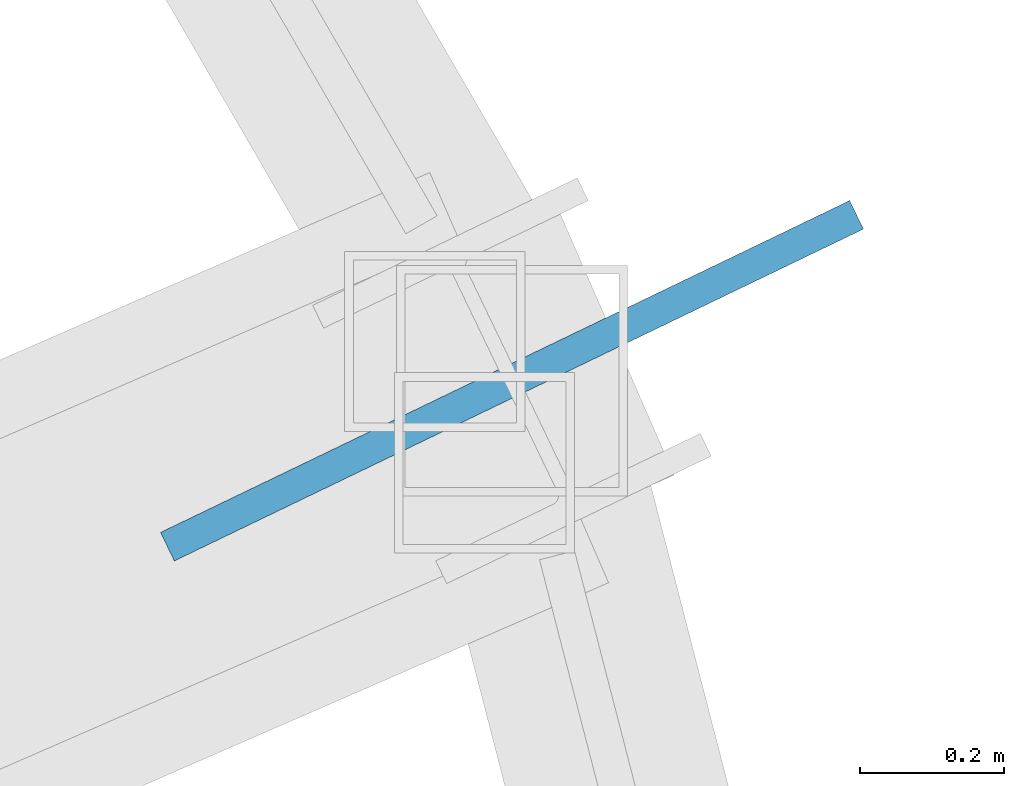
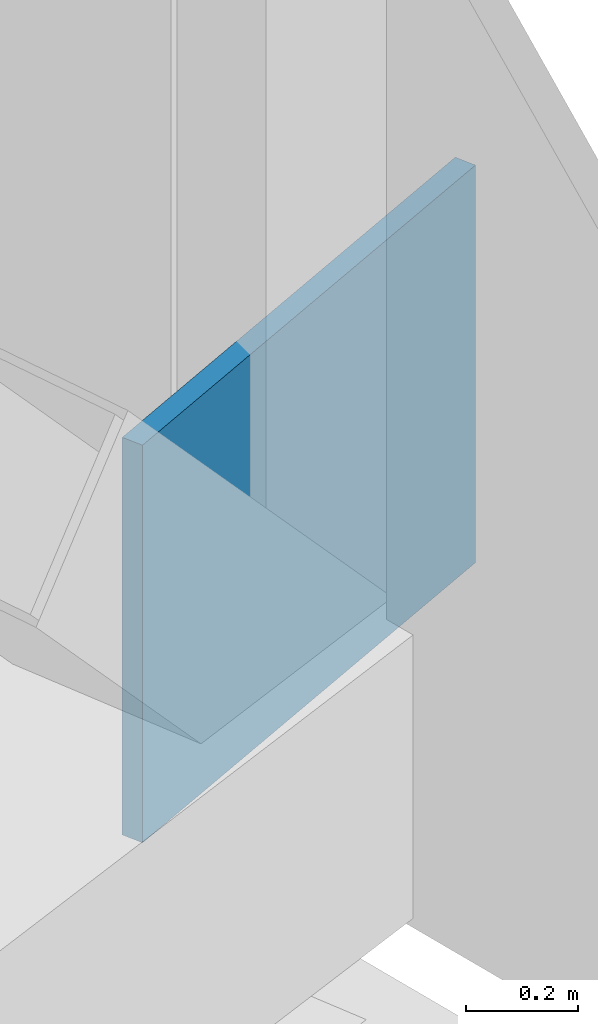
# One storey, part 144 of 162: 1 plate.
"""IFC4 building model written with IfcOpenShell, lengths in metres."""

from ifc_helpers import new_model, si_unit, direction, frame, origin, origin_2d, place, context, subcontext, project, spatial, rectangle, extrude, material, layer, layer_set, type_object, element, save


model = new_model("IFC4")

# Units and contexts
model_context = context("Model", 3, precision=1e-05, world=origin(), true_north=direction((0.0, 1.0)))
body_context = subcontext(model_context, "Body", "Model", "MODEL_VIEW")
ifc_project = project(units=[si_unit("LENGTHUNIT", "METRE"), si_unit("AREAUNIT", "SQUARE_METRE"), si_unit("VOLUMEUNIT", "CUBIC_METRE"), si_unit("PLANEANGLEUNIT", "RADIAN"), si_unit("MASSUNIT", "GRAM", prefix="KILO")], contexts=[model_context])

# Site, building, storey
site_placement = place(None, origin())
site = spatial("IfcSite", under=ifc_project, at=site_placement, CompositionType="ELEMENT")
building_placement = place(site_placement, origin())
building = spatial("IfcBuilding", under=site, at=building_placement, Name="Kazemori Nagisa Stadium", CompositionType="ELEMENT")
storey_placement = place(building_placement, frame((0.0, 0.0, 36.719970703125)))
storey = spatial("IfcBuildingStorey", under=building, at=storey_placement, Name="RF", CompositionType="ELEMENT", Elevation=36.719970703125)

# Plate
ifc_material = material(Name="Steel SN490B", Category="steel")
ifc_layer = layer(ifc_material, 0.0439453125, Name="Steel SN490B", Category="steel")
ifc_layer_set = layer_set([ifc_layer], Name="Steel SN490B")
plate_type = type_object("IfcPlateType", Name="GussetPlate_GP-03", PredefinedType="SHEET", material=ifc_layer_set)
plate_placement = place(storey_placement, frame((211.885009765625, 140.74951171875, 0.35986328125), z_axis=(0.0, 0.0, 1.0), x_axis=(0.900968867905, 0.433883739113, 0.0)))
element("IfcPlate", 1, at=plate_placement, inside=storey, type_object=plate_type, Name="Roof truss anchor gusset plate GP-03 RT-03-R3", PredefinedType="SHEET", context=body_context, shape_type="SweptSolid", body=[
    extrude(rectangle(XDim=1.06005859375, YDim=0.0439453125, at=origin_2d()), origin(), (0.0, 0.0, 1.0), 0.8701171875),
])

save(model, "model.ifc")
